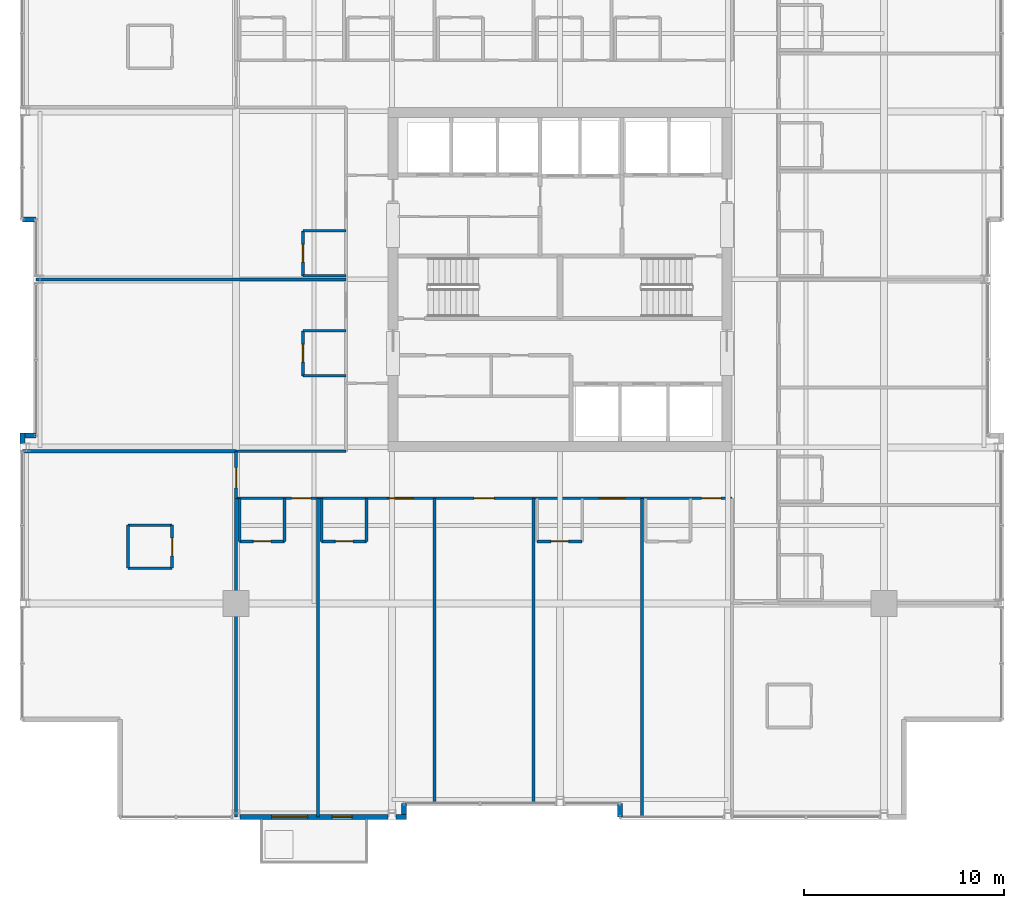
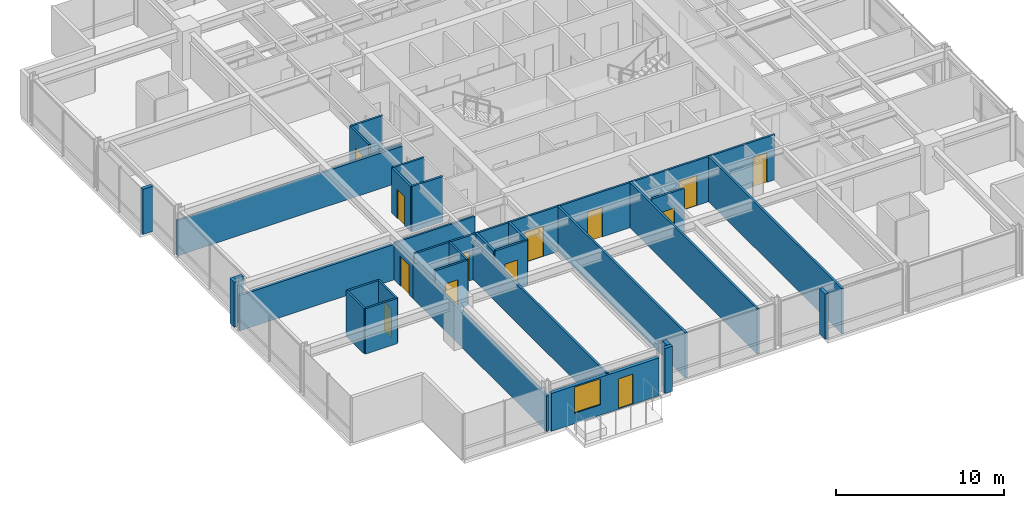
# One storey, part 26 of 32: 34 walls, 13 doors, 1 window, 14 openings.
"""IFC4 building model written with IfcOpenShell, lengths in metres."""

from ifc_helpers import new_model, si_unit, direction, frame, frame_2d, origin, place, context, subcontext, project, spatial, rectangle, extrude, material, layer, layer_set, type_object, element, fill, save


model = new_model("IFC4")

# Units and contexts
model_context = context("Model", 3, precision=1e-05, world=origin(), true_north=direction((0.0, 1.0)))
body_context = subcontext(model_context, "Body", "Model", "MODEL_VIEW")
ifc_project = project(units=[si_unit("LENGTHUNIT", "METRE"), si_unit("AREAUNIT", "SQUARE_METRE"), si_unit("VOLUMEUNIT", "CUBIC_METRE"), si_unit("PLANEANGLEUNIT", "RADIAN"), si_unit("MASSUNIT", "GRAM", prefix="KILO")], contexts=[model_context])

# Site, building, storey
site_placement = place(None, origin())
site = spatial("IfcSite", under=ifc_project, at=site_placement, CompositionType="ELEMENT")
building_placement = place(site_placement, origin())
building = spatial("IfcBuilding", under=site, at=building_placement, Name="Drelvath Grand Hotel", CompositionType="ELEMENT")
storey_placement = place(building_placement, frame((0.0, 0.0, 157.5)))
storey = spatial("IfcBuildingStorey", under=building, at=storey_placement, Name="L40", CompositionType="ELEMENT", Elevation=157.5)

# Wall
ifc_material_1 = material(Name="Gypsum Fireboard Partition")
ifc_layer_1 = layer(ifc_material_1, 0.135009765625)
ifc_layer_set_1 = layer_set([ifc_layer_1], Name="Gypsum Fireboard Partition")
wall_type_1 = type_object("IfcWallType", Name="Corridor Fire Barrier Wall 135", PredefinedType="PARTITIONING", material=ifc_layer_set_1)
wall_1_placement = place(storey_placement, frame((-16.199951171875, 18.39990234375, 0.0), z_axis=(0.0, 0.0, 1.0), x_axis=(1.0, 0.0, 0.0)))
element("IfcWall", 1, at=wall_1_placement, inside=storey, type_object=wall_type_1, Name="L40 SW Stub North Wall", PredefinedType="PARTITIONING", context=body_context, shape_type="SweptSolid", body=[
    extrude(rectangle(XDim=5.5, YDim=0.135009765625, at=frame_2d((2.75, 0.0))), origin(), (0.0, 0.0, 1.0), 2.66748046875),
])

# Wall, openings, doors
wall_2_placement = place(storey_placement, frame((-16.199951171875, 16.050048828125, 0.0), z_axis=(0.0, 0.0, 1.0), x_axis=(1.0, 0.0, 0.0)))
wall_2 = element("IfcWall", 2, at=wall_2_placement, inside=storey, type_object=wall_type_1, Name="L40 South Stub Corridor Wall", PredefinedType="PARTITIONING", context=body_context, shape_type="SweptSolid", body=[
    extrude(rectangle(XDim=24.800048828125, YDim=0.135009765625, at=frame_2d((12.39990234375, 0.0))), origin(), (0.0, 0.0, 1.0), 3.2900390625),
])
opening_1_placement = place(wall_2_placement, frame((2.784912109375, 0.0, 0.0)))
opening_1 = element("IfcOpeningElement", 3, at=opening_1_placement, cuts=wall_2, Name="Opening D-T3G1-035", PredefinedType="OPENING", context=body_context, shape_type="SweptSolid", body=[
    extrude(rectangle(XDim=0.9599609375, YDim=2.14990234375, at=frame_2d((0.47998046875, 1.074951171875))), frame((0.0, 0.077392578125, 0.0), z_axis=(0.0, -1.0, 0.0), x_axis=(1.0, 0.0, 0.0)), (0.0, 0.0, 1.0), 0.155029296875),
])
opening_2_placement = place(wall_2_placement, frame((7.594970703125, 0.0, 0.0)))
opening_2 = element("IfcOpeningElement", 4, at=opening_2_placement, cuts=wall_2, Name="Opening D-T3G1-037", PredefinedType="OPENING", context=body_context, shape_type="SweptSolid", body=[
    extrude(rectangle(XDim=1.260009765625, YDim=2.199951171875, at=frame_2d((0.6298828125, 1.10009765625))), frame((0.0, 0.077392578125, 0.0), z_axis=(0.0, -1.0, 0.0), x_axis=(1.0, 0.0, 0.0)), (0.0, 0.0, 1.0), 0.155029296875),
])
opening_3_placement = place(wall_2_placement, frame((11.889892578125, 0.0, 0.0)))
opening_3 = element("IfcOpeningElement", 5, at=opening_3_placement, cuts=wall_2, Name="Opening D-T3G1-038", PredefinedType="OPENING", context=body_context, shape_type="SweptSolid", body=[
    extrude(rectangle(XDim=1.02001953125, YDim=2.14990234375, at=frame_2d((0.510009765625, 1.074951171875))), frame((0.0, 0.077392578125, 0.0), z_axis=(0.0, -1.0, 0.0), x_axis=(1.0, 0.0, 0.0)), (0.0, 0.0, 1.0), 0.155029296875),
])
opening_4_placement = place(wall_2_placement, frame((18.17041015625, 0.0, 0.0)))
opening_4 = element("IfcOpeningElement", 6, at=opening_4_placement, cuts=wall_2, Name="Opening D-T3G1-040", PredefinedType="OPENING", context=body_context, shape_type="SweptSolid", body=[
    extrude(rectangle(XDim=1.260009765625, YDim=2.199951171875, at=frame_2d((0.6298828125, 1.10009765625))), frame((0.0, 0.077392578125, 0.0), z_axis=(0.0, -1.0, 0.0), x_axis=(1.0, 0.0, 0.0)), (0.0, 0.0, 1.0), 0.155029296875),
])
opening_5_placement = place(wall_2_placement, frame((23.280517578125, 0.0, 0.0)))
opening_5 = element("IfcOpeningElement", 7, at=opening_5_placement, cuts=wall_2, Name="Opening D-T3G1-042", PredefinedType="OPENING", context=body_context, shape_type="SweptSolid", body=[
    extrude(rectangle(XDim=0.9599609375, YDim=2.14990234375, at=frame_2d((0.47998046875, 1.074951171875))), frame((0.0, 0.077392578125, 0.0), z_axis=(0.0, -1.0, 0.0), x_axis=(1.0, 0.0, 0.0)), (0.0, 0.0, 1.0), 0.155029296875),
])
ifc_material_2 = material(Name="Hardwood Walnut Timber", Category="wood")
door_type_1 = type_object("IfcDoorType", Name="Amenity Meeting Fire Door 1020x2150", OperationType="NOTDEFINED", PredefinedType="DOOR", material=ifc_material_2)
door_1_placement = place(opening_3_placement, origin())
door_1 = element("IfcDoor", 8, at=door_1_placement, inside=storey, type_object=door_type_1, Name="L40 Sky Tea Lounge Entry Door", OperationType="SINGLE_SWING_RIGHT", OverallHeight=2.14990234375, OverallWidth=1.02001953125, PredefinedType="DOOR", context=body_context, shape_type="SweptSolid", body=[
    extrude(rectangle(XDim=1.02001953125, YDim=2.14990234375, at=frame_2d((0.510009765625, 1.074951171875))), frame((0.0, 0.02490234375, 0.0), z_axis=(0.0, -1.0, 0.0), x_axis=(1.0, 0.0, 0.0)), (0.0, 0.0, 1.0), 0.050048828125),
])
fill(opening_3, door_1)
door_type_2 = type_object("IfcDoorType", Name="Guestroom Entrance Fire Door 960x2150", OperationType="NOTDEFINED", PredefinedType="DOOR", material=ifc_material_2)
door_2_placement = place(opening_1_placement, origin())
door_2 = element("IfcDoor", 9, at=door_2_placement, inside=storey, type_object=door_type_2, Name="L40 King Guest Room Entry Door", OperationType="SINGLE_SWING_LEFT", OverallHeight=2.14990234375, OverallWidth=0.9599609375, PredefinedType="DOOR", context=body_context, shape_type="SweptSolid", body=[
    extrude(rectangle(XDim=0.9599609375, YDim=2.14990234375, at=frame_2d((0.47998046875, 1.074951171875))), frame((0.0, 0.02490234375, 0.0), z_axis=(0.0, -1.0, 0.0), x_axis=(1.0, 0.0, 0.0)), (0.0, 0.0, 1.0), 0.050048828125),
])
fill(opening_1, door_2)
door_3_placement = place(opening_5_placement, origin())
door_3 = element("IfcDoor", 10, at=door_3_placement, inside=storey, type_object=door_type_2, Name="L40 King Guest Room Entry Door", OperationType="SINGLE_SWING_RIGHT", OverallHeight=2.14990234375, OverallWidth=0.9599609375, PredefinedType="DOOR", context=body_context, shape_type="SweptSolid", body=[
    extrude(rectangle(XDim=0.9599609375, YDim=2.14990234375, at=frame_2d((0.47998046875, 1.074951171875))), frame((0.0, 0.02490234375, 0.0), z_axis=(0.0, -1.0, 0.0), x_axis=(1.0, 0.0, 0.0)), (0.0, 0.0, 1.0), 0.050048828125),
])
fill(opening_5, door_3)
door_type_3 = type_object("IfcDoorType", Name="Suite Entrance Fire Door 1260x2200", OperationType="NOTDEFINED", PredefinedType="DOOR", material=ifc_material_2)
door_4_placement = place(opening_2_placement, origin())
door_4 = element("IfcDoor", 11, at=door_4_placement, inside=storey, type_object=door_type_3, Name="L40 Executive Suite Entry Door", OperationType="SINGLE_SWING_LEFT", OverallHeight=2.199951171875, OverallWidth=1.260009765625, PredefinedType="DOOR", context=body_context, shape_type="SweptSolid", body=[
    extrude(rectangle(XDim=1.260009765625, YDim=2.199951171875, at=frame_2d((0.6298828125, 1.10009765625))), frame((0.0, 0.02490234375, 0.0), z_axis=(0.0, -1.0, 0.0), x_axis=(1.0, 0.0, 0.0)), (0.0, 0.0, 1.0), 0.050048828125),
])
fill(opening_2, door_4)
door_5_placement = place(opening_4_placement, origin())
door_5 = element("IfcDoor", 12, at=door_5_placement, inside=storey, type_object=door_type_3, Name="L40 Executive Suite Entry Door", OperationType="SINGLE_SWING_RIGHT", OverallHeight=2.199951171875, OverallWidth=1.260009765625, PredefinedType="DOOR", context=body_context, shape_type="SweptSolid", body=[
    extrude(rectangle(XDim=1.260009765625, YDim=2.199951171875, at=frame_2d((0.6298828125, 1.10009765625))), frame((0.0, 0.02490234375, 0.0), z_axis=(0.0, -1.0, 0.0), x_axis=(1.0, 0.0, 0.0)), (0.0, 0.0, 1.0), 0.050048828125),
])
fill(opening_4, door_5)

# Wall, opening, door
wall_3_placement = place(storey_placement, frame((-16.199951171875, 16.050048828125, 0.0), z_axis=(0.0, 0.0, 1.0), x_axis=(0.0, 1.0, 0.0)))
wall_3 = element("IfcWall", 13, at=wall_3_placement, inside=storey, type_object=wall_type_1, Name="L40 South Stub West End", PredefinedType="PARTITIONING", context=body_context, shape_type="SweptSolid", body=[
    extrude(rectangle(XDim=2.349853515625, YDim=0.135009765625, at=frame_2d((1.1748046875, 0.0))), origin(), (0.0, 0.0, 1.0), 2.57958984375),
])
opening_6_placement = place(wall_3_placement, frame((0.52001953125, 0.0, 0.0)))
opening_6 = element("IfcOpeningElement", 14, at=opening_6_placement, cuts=wall_3, Name="Opening D-T3G1-027", PredefinedType="OPENING", context=body_context, shape_type="SweptSolid", body=[
    extrude(rectangle(XDim=1.02001953125, YDim=2.14990234375, at=frame_2d((0.510009765625, 1.074951171875))), frame((0.0, 0.077392578125, 0.0), z_axis=(0.0, -1.0, 0.0), x_axis=(1.0, 0.0, 0.0)), (0.0, 0.0, 1.0), 0.155029296875),
])
door_6_placement = place(opening_6_placement, origin())
door_6 = element("IfcDoor", 15, at=door_6_placement, inside=storey, type_object=door_type_1, Name="L40 Executive Suite Entry Door", OperationType="SINGLE_SWING_LEFT", OverallHeight=2.14990234375, OverallWidth=1.02001953125, PredefinedType="DOOR", context=body_context, shape_type="SweptSolid", body=[
    extrude(rectangle(XDim=1.02001953125, YDim=2.14990234375, at=frame_2d((0.510009765625, 1.074951171875))), frame((0.0, 0.02490234375, 0.0), z_axis=(0.0, -1.0, 0.0), x_axis=(1.0, 0.0, 0.0)), (0.0, 0.0, 1.0), 0.050048828125),
])
fill(opening_6, door_6)

# Walls
ifc_material_3 = material(Name="Moisture-Resistant Gypsum Board")
ifc_layer_2 = layer(ifc_material_3, 0.139892578125)
ifc_layer_set_2 = layer_set([ifc_layer_2], Name="Moisture-Resistant Gypsum Board")
wall_type_2 = type_object("IfcWallType", Name="En-Suite Plumbing Wall 140", PredefinedType="PLUMBINGWALL", material=ifc_layer_set_2)
for number, where, z_axis, x_axis, name in (
    (16, (-21.60009765625, 12.56005859375, 0.0), (0.0, 0.0, 1.0), (1.0, 0.0, 0.0), "L40 Corner En-Suite South"),
    (17, (-21.60009765625, 14.7099609375, 0.0), (0.0, 0.0, 1.0), (1.0, 0.0, 0.0), "L40 Corner En-Suite North"),
):
    element("IfcWall", number, at=place(storey_placement, frame(where, z_axis=z_axis, x_axis=x_axis)), inside=storey, type_object=wall_type_2, Name=name, PredefinedType="PLUMBINGWALL", context=body_context, shape_type="SweptSolid", body=[
        extrude(rectangle(XDim=2.2001953125, YDim=0.139892578125, at=frame_2d((1.10009765625, 0.0))), origin(), (0.0, 0.0, 1.0), 3.2900390625),
    ])
wall_4_placement = place(storey_placement, frame((-21.60009765625, 12.56005859375, 0.0), z_axis=(0.0, 0.0, 1.0), x_axis=(0.0, 1.0, 0.0)))
element("IfcWall", 18, at=wall_4_placement, inside=storey, type_object=wall_type_2, Name="L40 Corner En-Suite West", PredefinedType="PLUMBINGWALL", context=body_context, shape_type="SweptSolid", body=[
    extrude(rectangle(XDim=2.14990234375, YDim=0.139892578125, at=frame_2d((1.074951171875, 0.0))), origin(), (0.0, 0.0, 1.0), 3.2900390625),
])

# Wall, opening, door
wall_5_placement = place(storey_placement, frame((-19.39990234375, 12.56005859375, 0.0), z_axis=(0.0, 0.0, 1.0), x_axis=(0.0, 1.0, 0.0)))
wall_5 = element("IfcWall", 19, at=wall_5_placement, inside=storey, type_object=wall_type_2, Name="L40 Corner En-Suite East", PredefinedType="PLUMBINGWALL", context=body_context, shape_type="SweptSolid", body=[
    extrude(rectangle(XDim=2.14990234375, YDim=0.139892578125, at=frame_2d((1.074951171875, 0.0))), origin(), (0.0, 0.0, 1.0), 3.2900390625),
])
opening_7_placement = place(wall_5_placement, frame((0.6201171875, 0.0, 0.0)))
opening_7 = element("IfcOpeningElement", 20, at=opening_7_placement, cuts=wall_5, Name="Opening D-T3G1-026", PredefinedType="OPENING", context=body_context, shape_type="SweptSolid", body=[
    extrude(rectangle(XDim=0.8798828125, YDim=2.10009765625, at=frame_2d((0.43994140625, 1.050048828125))), frame((0.0, 0.079833984375, 0.0), z_axis=(0.0, -1.0, 0.0), x_axis=(1.0, 0.0, 0.0)), (0.0, 0.0, 1.0), 0.159912109375),
])
door_type_4 = type_object("IfcDoorType", Name="En-Suite Bathroom Door 880x2100", OperationType="NOTDEFINED", PredefinedType="DOOR", material=ifc_material_2)
door_7_placement = place(opening_7_placement, origin())
door_7 = element("IfcDoor", 21, at=door_7_placement, inside=storey, type_object=door_type_4, Name="L40 Corner En-Suite Door", OperationType="SINGLE_SWING_RIGHT", OverallHeight=2.10009765625, OverallWidth=0.8798828125, PredefinedType="DOOR", context=body_context, shape_type="SweptSolid", body=[
    extrude(rectangle(XDim=0.8798828125, YDim=2.10009765625, at=frame_2d((0.43994140625, 1.050048828125))), frame((0.0, 0.02490234375, 0.0), z_axis=(0.0, -1.0, 0.0), x_axis=(1.0, 0.0, 0.0)), (0.0, 0.0, 1.0), 0.050048828125),
])
fill(opening_7, door_7)

# Walls
wall_6_placement = place(storey_placement, frame((-16.02001953125, 16.050048828125, 0.0), z_axis=(0.0, 0.0, 1.0), x_axis=(0.0, -1.0, 0.0)))
element("IfcWall", 22, at=wall_6_placement, inside=storey, type_object=wall_type_2, Name="L40 En-Suite Left Wall", PredefinedType="PLUMBINGWALL", context=body_context, shape_type="SweptSolid", body=[
    extrude(rectangle(XDim=2.150146484375, YDim=0.139892578125, at=frame_2d((1.0751953125, 0.0))), origin(), (0.0, 0.0, 1.0), 2.57958984375),
])
wall_7_placement = place(storey_placement, frame((-13.77001953125, 16.050048828125, 0.0), z_axis=(0.0, 0.0, 1.0), x_axis=(0.0, -1.0, 0.0)))
element("IfcWall", 23, at=wall_7_placement, inside=storey, type_object=wall_type_2, Name="L40 En-Suite Right Wall", PredefinedType="PLUMBINGWALL", context=body_context, shape_type="SweptSolid", body=[
    extrude(rectangle(XDim=2.150146484375, YDim=0.139892578125, at=frame_2d((1.0751953125, 0.0))), origin(), (0.0, 0.0, 1.0), 3.2900390625),
])

# Wall, opening, door
wall_8_placement = place(storey_placement, frame((-16.02001953125, 13.89990234375, 0.0), z_axis=(0.0, 0.0, 1.0), x_axis=(1.0, 0.0, 0.0)))
wall_8 = element("IfcWall", 24, at=wall_8_placement, inside=storey, type_object=wall_type_2, Name="L40 En-Suite Front Wall", PredefinedType="PLUMBINGWALL", context=body_context, shape_type="SweptSolid", body=[
    extrude(rectangle(XDim=2.25, YDim=0.139892578125, at=frame_2d((1.125, 0.0))), origin(), (0.0, 0.0, 1.0), 3.2900390625),
])
opening_8_placement = place(wall_8_placement, frame((0.68505859375, 0.0, 0.0)))
opening_8 = element("IfcOpeningElement", 25, at=opening_8_placement, cuts=wall_8, Name="Opening D-T3G1-034", PredefinedType="OPENING", context=body_context, shape_type="SweptSolid", body=[
    extrude(rectangle(XDim=0.8798828125, YDim=2.10009765625, at=frame_2d((0.43994140625, 1.050048828125))), frame((0.0, 0.079833984375, 0.0), z_axis=(0.0, -1.0, 0.0), x_axis=(1.0, 0.0, 0.0)), (0.0, 0.0, 1.0), 0.159912109375),
])
door_8_placement = place(opening_8_placement, origin())
door_8 = element("IfcDoor", 26, at=door_8_placement, inside=storey, type_object=door_type_4, Name="L40 En-Suite Bathroom Door", OperationType="SINGLE_SWING_RIGHT", OverallHeight=2.10009765625, OverallWidth=0.8798828125, PredefinedType="DOOR", context=body_context, shape_type="SweptSolid", body=[
    extrude(rectangle(XDim=0.8798828125, YDim=2.10009765625, at=frame_2d((0.43994140625, 1.050048828125))), frame((0.0, 0.02490234375, 0.0), z_axis=(0.0, -1.0, 0.0), x_axis=(1.0, 0.0, 0.0)), (0.0, 0.0, 1.0), 0.050048828125),
])
fill(opening_8, door_8)

# Walls
for number, where, z_axis, x_axis, name in (
    (27, (-11.919921875, 16.050048828125, 0.0), (0.0, 0.0, 1.0), (0.0, -1.0, 0.0), "L40 En-Suite Left Wall"),
    (28, (-9.669921875, 16.050048828125, 0.0), (0.0, 0.0, 1.0), (0.0, -1.0, 0.0), "L40 En-Suite Right Wall"),
):
    element("IfcWall", number, at=place(storey_placement, frame(where, z_axis=z_axis, x_axis=x_axis)), inside=storey, type_object=wall_type_2, Name=name, PredefinedType="PLUMBINGWALL", context=body_context, shape_type="SweptSolid", body=[
        extrude(rectangle(XDim=2.150146484375, YDim=0.139892578125, at=frame_2d((1.0751953125, 0.0))), origin(), (0.0, 0.0, 1.0), 3.2900390625),
    ])

# Wall, opening, door
wall_9_placement = place(storey_placement, frame((-11.919921875, 13.89990234375, 0.0), z_axis=(0.0, 0.0, 1.0), x_axis=(1.0, 0.0, 0.0)))
wall_9 = element("IfcWall", 29, at=wall_9_placement, inside=storey, type_object=wall_type_2, Name="L40 En-Suite Front Wall", PredefinedType="PLUMBINGWALL", context=body_context, shape_type="SweptSolid", body=[
    extrude(rectangle(XDim=2.25, YDim=0.139892578125, at=frame_2d((1.125, 0.0))), origin(), (0.0, 0.0, 1.0), 3.2900390625),
])
opening_9_placement = place(wall_9_placement, frame((0.68505859375, 0.0, 0.0)))
opening_9 = element("IfcOpeningElement", 30, at=opening_9_placement, cuts=wall_9, Name="Opening D-T3G1-036", PredefinedType="OPENING", context=body_context, shape_type="SweptSolid", body=[
    extrude(rectangle(XDim=0.8798828125, YDim=2.10009765625, at=frame_2d((0.43994140625, 1.050048828125))), frame((0.0, 0.079833984375, 0.0), z_axis=(0.0, -1.0, 0.0), x_axis=(1.0, 0.0, 0.0)), (0.0, 0.0, 1.0), 0.159912109375),
])
door_9_placement = place(opening_9_placement, origin())
door_9 = element("IfcDoor", 31, at=door_9_placement, inside=storey, type_object=door_type_4, Name="L40 En-Suite Bathroom Door", OperationType="SINGLE_SWING_RIGHT", OverallHeight=2.10009765625, OverallWidth=0.8798828125, PredefinedType="DOOR", context=body_context, shape_type="SweptSolid", body=[
    extrude(rectangle(XDim=0.8798828125, YDim=2.10009765625, at=frame_2d((0.43994140625, 1.050048828125))), frame((0.0, 0.02490234375, 0.0), z_axis=(0.0, -1.0, 0.0), x_axis=(1.0, 0.0, 0.0)), (0.0, 0.0, 1.0), 0.050048828125),
])
fill(opening_9, door_9)

wall_10_placement = place(storey_placement, frame((-1.139892578125, 13.89990234375, 0.0), z_axis=(0.0, 0.0, 1.0), x_axis=(1.0, 0.0, 0.0)))
wall_10 = element("IfcWall", 32, at=wall_10_placement, inside=storey, type_object=wall_type_2, Name="L40 En-Suite Front Wall", PredefinedType="PLUMBINGWALL", context=body_context, shape_type="SweptSolid", body=[
    extrude(rectangle(XDim=2.25, YDim=0.139892578125, at=frame_2d((1.125, 0.0))), origin(), (0.0, 0.0, 1.0), 3.2900390625),
])
opening_10_placement = place(wall_10_placement, frame((0.68505859375, 0.0, 0.0)))
opening_10 = element("IfcOpeningElement", 33, at=opening_10_placement, cuts=wall_10, Name="Opening D-T3G1-039", PredefinedType="OPENING", context=body_context, shape_type="SweptSolid", body=[
    extrude(rectangle(XDim=0.8798828125, YDim=2.10009765625, at=frame_2d((0.43994140625, 1.050048828125))), frame((0.0, 0.079833984375, 0.0), z_axis=(0.0, -1.0, 0.0), x_axis=(1.0, 0.0, 0.0)), (0.0, 0.0, 1.0), 0.159912109375),
])
door_10_placement = place(opening_10_placement, origin())
door_10 = element("IfcDoor", 34, at=door_10_placement, inside=storey, type_object=door_type_4, Name="L40 En-Suite Bathroom Door", OperationType="SINGLE_SWING_LEFT", OverallHeight=2.10009765625, OverallWidth=0.8798828125, PredefinedType="DOOR", context=body_context, shape_type="SweptSolid", body=[
    extrude(rectangle(XDim=0.8798828125, YDim=2.10009765625, at=frame_2d((0.43994140625, 1.050048828125))), frame((0.0, 0.02490234375, 0.0), z_axis=(0.0, -1.0, 0.0), x_axis=(1.0, 0.0, 0.0)), (0.0, 0.0, 1.0), 0.050048828125),
])
fill(opening_10, door_10)

# Walls
for number, where, z_axis, x_axis, name in (
    (35, (-10.699951171875, 22.179931640625, 0.0), (0.0, 0.0, 1.0), (-1.0, 0.0, 0.0), "L40 En-Suite Left Wall"),
    (36, (-10.699951171875, 24.429931640625, 0.0), (0.0, 0.0, 1.0), (-1.0, 0.0, 0.0), "L40 En-Suite Right Wall"),
):
    element("IfcWall", number, at=place(storey_placement, frame(where, z_axis=z_axis, x_axis=x_axis)), inside=storey, type_object=wall_type_2, Name=name, PredefinedType="PLUMBINGWALL", context=body_context, shape_type="SweptSolid", body=[
        extrude(rectangle(XDim=2.150146484375, YDim=0.139892578125, at=frame_2d((1.0751953125, 0.0))), origin(), (0.0, 0.0, 1.0), 3.2900390625),
    ])

# Wall, opening, door
wall_11_placement = place(storey_placement, frame((-12.85009765625, 22.179931640625, 0.0), z_axis=(0.0, 0.0, 1.0), x_axis=(0.0, 1.0, 0.0)))
wall_11 = element("IfcWall", 37, at=wall_11_placement, inside=storey, type_object=wall_type_2, Name="L40 En-Suite Front Wall", PredefinedType="PLUMBINGWALL", context=body_context, shape_type="SweptSolid", body=[
    extrude(rectangle(XDim=2.25, YDim=0.139892578125, at=frame_2d((1.125, 0.0))), origin(), (0.0, 0.0, 1.0), 3.2900390625),
])
opening_11_placement = place(wall_11_placement, frame((0.68505859375, 0.0, 0.0)))
opening_11 = element("IfcOpeningElement", 38, at=opening_11_placement, cuts=wall_11, Name="Opening D-T3G1-064", PredefinedType="OPENING", context=body_context, shape_type="SweptSolid", body=[
    extrude(rectangle(XDim=0.8798828125, YDim=2.10009765625, at=frame_2d((0.43994140625, 1.050048828125))), frame((0.0, 0.079833984375, 0.0), z_axis=(0.0, -1.0, 0.0), x_axis=(1.0, 0.0, 0.0)), (0.0, 0.0, 1.0), 0.159912109375),
])
door_11_placement = place(opening_11_placement, origin())
door_11 = element("IfcDoor", 39, at=door_11_placement, inside=storey, type_object=door_type_4, Name="L40 En-Suite Bathroom Door", OperationType="SINGLE_SWING_RIGHT", OverallHeight=2.10009765625, OverallWidth=0.8798828125, PredefinedType="DOOR", context=body_context, shape_type="SweptSolid", body=[
    extrude(rectangle(XDim=0.8798828125, YDim=2.10009765625, at=frame_2d((0.43994140625, 1.050048828125))), frame((0.0, 0.02490234375, 0.0), z_axis=(0.0, -1.0, 0.0), x_axis=(1.0, 0.0, 0.0)), (0.0, 0.0, 1.0), 0.050048828125),
])
fill(opening_11, door_11)

# Walls
wall_12_placement = place(storey_placement, frame((-10.699951171875, 27.179931640625, 0.0), z_axis=(0.0, 0.0, 1.0), x_axis=(-1.0, 0.0, 0.0)))
element("IfcWall", 40, at=wall_12_placement, inside=storey, type_object=wall_type_2, Name="L40 En-Suite Left Wall", PredefinedType="PLUMBINGWALL", context=body_context, shape_type="SweptSolid", body=[
    extrude(rectangle(XDim=2.150146484375, YDim=0.139892578125, at=frame_2d((1.0751953125, 0.0))), origin(), (0.0, 0.0, 1.0), 2.66748046875),
])
wall_13_placement = place(storey_placement, frame((-10.699951171875, 29.429931640625, 0.0), z_axis=(0.0, 0.0, 1.0), x_axis=(-1.0, 0.0, 0.0)))
element("IfcWall", 41, at=wall_13_placement, inside=storey, type_object=wall_type_2, Name="L40 En-Suite Right Wall", PredefinedType="PLUMBINGWALL", context=body_context, shape_type="SweptSolid", body=[
    extrude(rectangle(XDim=2.150146484375, YDim=0.139892578125, at=frame_2d((1.0751953125, 0.0))), origin(), (0.0, 0.0, 1.0), 3.2900390625),
])

# Wall, opening, door
wall_14_placement = place(storey_placement, frame((-12.85009765625, 27.179931640625, 0.0), z_axis=(0.0, 0.0, 1.0), x_axis=(0.0, 1.0, 0.0)))
wall_14 = element("IfcWall", 42, at=wall_14_placement, inside=storey, type_object=wall_type_2, Name="L40 En-Suite Front Wall", PredefinedType="PLUMBINGWALL", context=body_context, shape_type="SweptSolid", body=[
    extrude(rectangle(XDim=2.25, YDim=0.139892578125, at=frame_2d((1.125, 0.0))), origin(), (0.0, 0.0, 1.0), 3.2900390625),
])
opening_12_placement = place(wall_14_placement, frame((0.68505859375, 0.0, 0.0)))
opening_12 = element("IfcOpeningElement", 43, at=opening_12_placement, cuts=wall_14, Name="Opening D-T3G1-066", PredefinedType="OPENING", context=body_context, shape_type="SweptSolid", body=[
    extrude(rectangle(XDim=0.8798828125, YDim=2.10009765625, at=frame_2d((0.43994140625, 1.050048828125))), frame((0.0, 0.079833984375, 0.0), z_axis=(0.0, -1.0, 0.0), x_axis=(1.0, 0.0, 0.0)), (0.0, 0.0, 1.0), 0.159912109375),
])
door_12_placement = place(opening_12_placement, origin())
door_12 = element("IfcDoor", 44, at=door_12_placement, inside=storey, type_object=door_type_4, Name="L40 En-Suite Bathroom Door", OperationType="SINGLE_SWING_RIGHT", OverallHeight=2.10009765625, OverallWidth=0.8798828125, PredefinedType="DOOR", context=body_context, shape_type="SweptSolid", body=[
    extrude(rectangle(XDim=0.8798828125, YDim=2.10009765625, at=frame_2d((0.43994140625, 1.050048828125))), frame((0.0, 0.02490234375, 0.0), z_axis=(0.0, -1.0, 0.0), x_axis=(1.0, 0.0, 0.0)), (0.0, 0.0, 1.0), 0.050048828125),
])
fill(opening_12, door_12)

# Walls
ifc_material_4 = material(Name="Gypsum Acoustic Partition")
ifc_layer_3 = layer(ifc_material_4, 0.14990234375)
ifc_layer_set_3 = layer_set([ifc_layer_3], Name="Gypsum Acoustic Partition")
wall_type_3 = type_object("IfcWallType", Name="Guestroom Demising Wall 150", PredefinedType="PARTITIONING", material=ifc_layer_set_3)
wall_15_placement = place(storey_placement, frame((-12.10009765625, 0.1201171875, 0.0), z_axis=(0.0, 0.0, 1.0), x_axis=(0.0, 1.0, 0.0)))
element("IfcWall", 45, at=wall_15_placement, inside=storey, type_object=wall_type_3, Name="L40 South Demising 1", PredefinedType="PARTITIONING", context=body_context, shape_type="SweptSolid", body=[
    extrude(rectangle(XDim=15.929931640625, YDim=0.14990234375, at=frame_2d((7.96484375, 0.0))), origin(), (0.0, 0.0, 1.0), 2.81494140625),
])
for number, where, z_axis, x_axis, name in (
    (46, (-6.280029296875, 0.800048828125, 0.0), (0.0, 0.0, 1.0), (0.0, 1.0, 0.0), "L40 South Demising 2"),
    (47, (-1.320068359375, 0.800048828125, 0.0), (0.0, 0.0, 1.0), (0.0, 1.0, 0.0), "L40 South Demising 3"),
):
    element("IfcWall", number, at=place(storey_placement, frame(where, z_axis=z_axis, x_axis=x_axis)), inside=storey, type_object=wall_type_3, Name=name, PredefinedType="PARTITIONING", context=body_context, shape_type="SweptSolid", body=[
        extrude(rectangle(XDim=15.25, YDim=0.14990234375, at=frame_2d((7.625, 0.0))), origin(), (0.0, 0.0, 1.0), 3.2900390625),
    ])
wall_16_placement = place(storey_placement, frame((4.0908203125, 0.1201171875, 0.0), z_axis=(0.0, 0.0, 1.0), x_axis=(0.0, 1.0, 0.0)))
element("IfcWall", 48, at=wall_16_placement, inside=storey, type_object=wall_type_3, Name="L40 South Demising 4", PredefinedType="PARTITIONING", context=body_context, shape_type="SweptSolid", body=[
    extrude(rectangle(XDim=15.929931640625, YDim=0.14990234375, at=frame_2d((7.96484375, 0.0))), origin(), (0.0, 0.0, 1.0), 3.2900390625),
])
wall_17_placement = place(storey_placement, frame((-26.199951171875, 27.0, 0.0), z_axis=(0.0, 0.0, 1.0), x_axis=(1.0, 0.0, 0.0)))
element("IfcWall", 49, at=wall_17_placement, inside=storey, type_object=wall_type_3, Name="L40 West Suite Demising Wall", PredefinedType="PARTITIONING", context=body_context, shape_type="SweptSolid", body=[
    extrude(rectangle(XDim=15.5, YDim=0.14990234375, at=frame_2d((7.75, 0.0))), origin(), (0.0, 0.0, 1.0), 2.57958984375),
])
ifc_layer_4 = layer(ifc_material_4, 0.1650390625)
ifc_layer_set_4 = layer_set([ifc_layer_4], Name="Gypsum Acoustic Partition")
wall_type_4 = type_object("IfcWallType", Name="Suite Demising Wall 165", PredefinedType="PARTITIONING", material=ifc_layer_set_4)
wall_18_placement = place(storey_placement, frame((-16.199951171875, 0.1201171875, 0.0), z_axis=(0.0, 0.0, 1.0), x_axis=(0.0, 1.0, 0.0)))
element("IfcWall", 50, at=wall_18_placement, inside=storey, type_object=wall_type_4, Name="L40 SW Suite East Wall", PredefinedType="PARTITIONING", context=body_context, shape_type="SweptSolid", body=[
    extrude(rectangle(XDim=15.929931640625, YDim=0.1650390625, at=frame_2d((7.96484375, 0.0))), origin(), (0.0, 0.0, 1.0), 2.57958984375),
])
wall_19_placement = place(storey_placement, frame((-26.8798828125, 18.39990234375, 0.0), z_axis=(0.0, 0.0, 1.0), x_axis=(1.0, 0.0, 0.0)))
element("IfcWall", 51, at=wall_19_placement, inside=storey, type_object=wall_type_4, Name="L40 SW Suite North Wall", PredefinedType="PARTITIONING", context=body_context, shape_type="SweptSolid", body=[
    extrude(rectangle(XDim=10.679931640625, YDim=0.1650390625, at=frame_2d((5.33984375, 0.0))), origin(), (0.0, 0.0, 1.0), 2.57958984375),
])
ifc_material_5 = material(Name="Pale-Metal Insulated Aluminium Spandrel Assembly", Category="aluminium")
ifc_layer_5 = layer(ifc_material_5, 0.239990234375)
ifc_layer_set_5 = layer_set([ifc_layer_5], Name="Pale-Metal Insulated Aluminium Spandrel Assembly")
wall_type_5 = type_object("IfcWallType", Name="Tower Insulated Metal Spandrel Closure Wall 240", PredefinedType="STANDARD", material=ifc_layer_set_5)
wall_20_placement = place(storey_placement, frame((-26.8798828125, 18.800048828125, 0.0), z_axis=(0.0, 0.0, 1.0), x_axis=(0.0, 1.0, 0.0)))
element("IfcWall", 52, at=wall_20_placement, inside=storey, type_object=wall_type_5, Name="L40 Corner Pier Spandrel Wall WS3", PredefinedType="STANDARD", context=body_context, shape_type="SweptSolid", body=[
    extrude(rectangle(XDim=0.52001953125, YDim=0.239990234375, at=frame_2d((0.260009765625, 0.0))), origin(), (0.0, 0.0, 1.0), 3.2900390625),
])

# Wall, openings, window, door
wall_21_placement = place(storey_placement, frame((-8.60009765625, 0.1201171875, 0.0), z_axis=(0.0, 0.0, 1.0), x_axis=(-1.0, 0.0, 0.0)))
wall_21 = element("IfcWall", 53, at=wall_21_placement, inside=storey, type_object=wall_type_5, Name="L40 Exterior Terrace Door Bay Wall SW2", PredefinedType="STANDARD", context=body_context, shape_type="SweptSolid", body=[
    extrude(rectangle(XDim=7.39990234375, YDim=0.239990234375, at=frame_2d((3.699951171875, 0.0))), origin(), (0.0, 0.0, 1.0), 2.75341796875),
])
opening_13_placement = place(wall_21_placement, frame((1.7998046875, 0.0, 0.0)))
opening_13 = element("IfcOpeningElement", 54, at=opening_13_placement, cuts=wall_21, Name="Opening TD-1000", PredefinedType="OPENING", context=body_context, shape_type="SweptSolid", body=[
    extrude(rectangle(XDim=1.0, YDim=2.199951171875, at=frame_2d((0.5, 1.10009765625))), frame((0.0, 0.1298828125, 0.0), z_axis=(0.0, -1.0, 0.0), x_axis=(1.0, 0.0, 0.0)), (0.0, 0.0, 1.0), 0.260009765625),
])
opening_14_placement = place(wall_21_placement, frame((4.02490234375, 0.0, 0.75)))
opening_14 = element("IfcOpeningElement", 55, at=opening_14_placement, cuts=wall_21, Name="Opening W-02", PredefinedType="OPENING", context=body_context, shape_type="SweptSolid", body=[
    extrude(rectangle(XDim=1.800048828125, YDim=1.9033203125, at=frame_2d((0.89990234375, 0.95166015625))), frame((0.0, 0.1298828125, 0.0), z_axis=(0.0, -1.0, 0.0), x_axis=(1.0, 0.0, 0.0)), (0.0, 0.0, 1.0), 0.260009765625),
])
ifc_material_6 = material(Name="Bronze Anodised Low-E Triple Glazing", Category="glass")
window_type = type_object("IfcWindowType", Name="Chicago Double-Pane Podium Window 1800x2400", PartitioningType="DOUBLE_PANEL_VERTICAL", PredefinedType="WINDOW", material=ifc_material_6)
window_placement = place(opening_14_placement, origin())
window = element("IfcWindow", 56, at=window_placement, inside=storey, type_object=window_type, Name="L40 Terrace Bay Companion Window SW2", OverallHeight=1.9033203125, OverallWidth=1.800048828125, PartitioningType="SINGLE_PANEL", PredefinedType="WINDOW", context=body_context, shape_type="SweptSolid", body=[
    extrude(rectangle(XDim=1.800048828125, YDim=1.9033203125, at=frame_2d((0.89990234375, 0.95166015625))), frame((0.0, 0.030029296875, 0.0), z_axis=(0.0, -1.0, 0.0), x_axis=(1.0, 0.0, 0.0)), (0.0, 0.0, 1.0), 0.06005859375),
])
fill(opening_14, window)
ifc_material_7 = material(Name="Anodised Aluminium Thermally Broken Glazed Door", Category="aluminium")
door_type_5 = type_object("IfcDoorType", Name="Terrace and Tree Balcony Glazed Door 1000x2200", OperationType="NOTDEFINED", PredefinedType="DOOR", material=ifc_material_7)
door_13_placement = place(opening_13_placement, origin())
door_13 = element("IfcDoor", 57, at=door_13_placement, inside=storey, type_object=door_type_5, Name="L40 Tree Balcony Door DOOR-L40-TBAL-1", OperationType="SINGLE_SWING_LEFT", OverallHeight=2.199951171875, OverallWidth=1.0, PredefinedType="DOOR", context=body_context, shape_type="SweptSolid", body=[
    extrude(rectangle(XDim=1.0, YDim=2.199951171875, at=frame_2d((0.5, 1.10009765625))), frame((0.0, 0.02490234375, 0.0), z_axis=(0.0, -1.0, 0.0), x_axis=(1.0, 0.0, 0.0)), (0.0, 0.0, 1.0), 0.050048828125),
])
fill(opening_13, door_13)

# Walls
wall_22_placement = place(storey_placement, frame((-7.679931640625, 0.1201171875, 0.0), z_axis=(0.0, 0.0, 1.0), x_axis=(-1.0, 0.0, 0.0)))
element("IfcWall", 58, at=wall_22_placement, inside=storey, type_object=wall_type_5, Name="L40 Corner Pier Spandrel Wall SW3", PredefinedType="STANDARD", context=body_context, shape_type="SweptSolid", body=[
    extrude(rectangle(XDim=0.52001953125, YDim=0.239990234375, at=frame_2d((0.260009765625, 0.0))), origin(), (0.0, 0.0, 1.0), 3.2900390625),
])
wall_23_placement = place(storey_placement, frame((-26.760009765625, 19.199951171875, 0.0), z_axis=(0.0, 0.0, 1.0), x_axis=(1.0, 0.0, 0.0)))
element("IfcWall", 59, at=wall_23_placement, inside=storey, type_object=wall_type_5, Name="L40 Notched Corner Return Spandrel Wall RW1", PredefinedType="STANDARD", context=body_context, shape_type="SweptSolid", body=[
    extrude(rectangle(XDim=0.56005859375, YDim=0.239990234375, at=frame_2d((0.280029296875, 0.0))), origin(), (0.0, 0.0, 1.0), 3.2900390625),
])
for number, where, z_axis, x_axis, name in (
    (60, (-26.199951171875, 30.0, 0.0), (0.0, 0.0, 1.0), (-1.0, 0.0, 0.0), "L40 Notched Corner Return Spandrel Wall RW2"),
    (61, (3.0, 0.1201171875, 0.0), (0.0, 0.0, 1.0), (0.0, 1.0, 0.0), "L40 Notched Corner Return Spandrel Wall RS1"),
):
    element("IfcWall", number, at=place(storey_placement, frame(where, z_axis=z_axis, x_axis=x_axis)), inside=storey, type_object=wall_type_5, Name=name, PredefinedType="STANDARD", context=body_context, shape_type="SweptSolid", body=[
        extrude(rectangle(XDim=0.679931640625, YDim=0.239990234375, at=frame_2d((0.33984375, 0.0))), origin(), (0.0, 0.0, 1.0), 3.2900390625),
    ])
wall_24_placement = place(storey_placement, frame((-7.800048828125, 0.800048828125, 0.0), z_axis=(0.0, 0.0, 1.0), x_axis=(0.0, -1.0, 0.0)))
element("IfcWall", 62, at=wall_24_placement, inside=storey, type_object=wall_type_5, Name="L40 Notched Corner Return Spandrel Wall RS2", PredefinedType="STANDARD", context=body_context, shape_type="SweptSolid", body=[
    extrude(rectangle(XDim=0.56005859375, YDim=0.239990234375, at=frame_2d((0.280029296875, 0.0))), origin(), (0.0, 0.0, 1.0), 3.2900390625),
])

save(model, "model.ifc")
